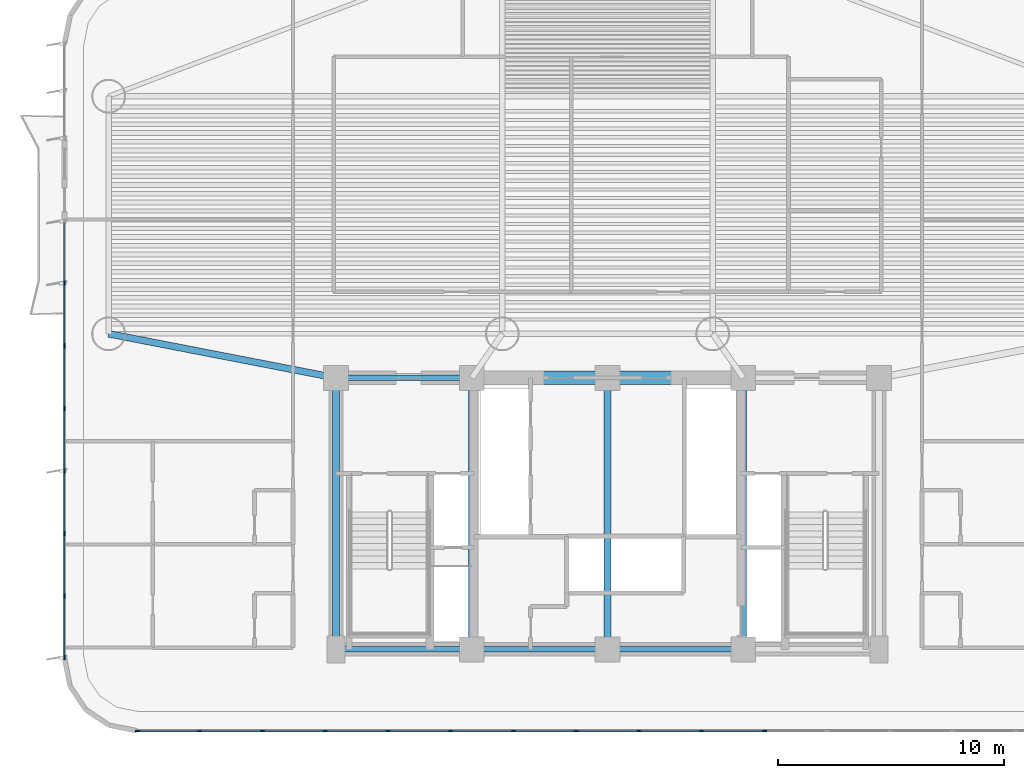
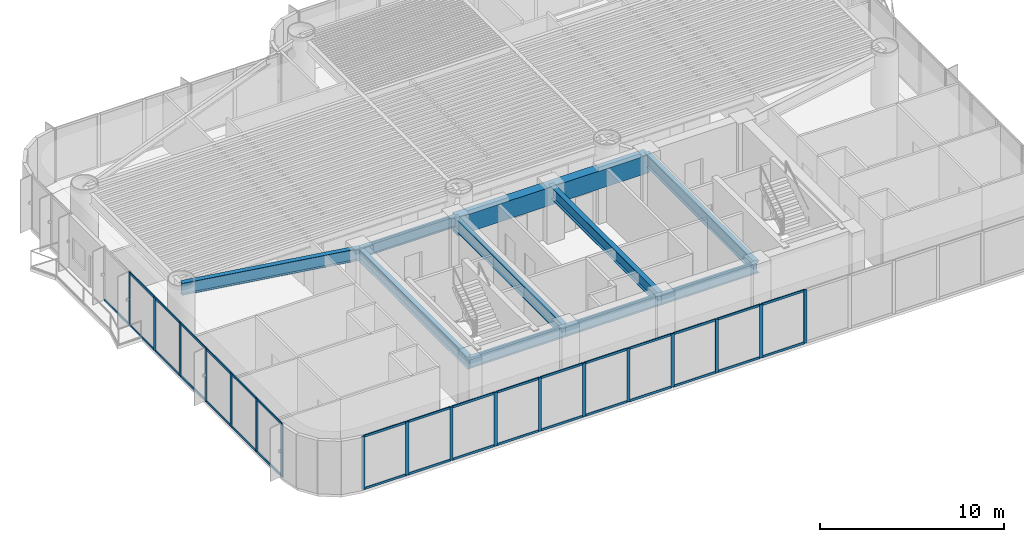
# One storey, part 2 of 17: 51 members, 10 beams, 2 elements without a shape of their own.
"""IFC4 building model written with IfcOpenShell, lengths in metres."""

from ifc_helpers import new_model, si_unit, direction, frame, origin, origin_2d, place, context, subcontext, project, spatial, rectangle, i_section, extrude, source, transform, mapped, material, layer, layer_set, material_profile, profile_set, type_object, element, aggregate, save


model = new_model("IFC4")

# Units and contexts
model_context = context("Model", 3, precision=1e-05, world=origin(), true_north=direction((0.0, 1.0)))
body_context = subcontext(model_context, "Body", "Model", "MODEL_VIEW")
ifc_project = project(units=[si_unit("LENGTHUNIT", "METRE"), si_unit("AREAUNIT", "SQUARE_METRE"), si_unit("VOLUMEUNIT", "CUBIC_METRE"), si_unit("PLANEANGLEUNIT", "RADIAN"), si_unit("MASSUNIT", "GRAM", prefix="KILO")], contexts=[model_context])

# Site, building, storey
site_placement = place(None, origin())
site = spatial("IfcSite", under=ifc_project, at=site_placement, CompositionType="ELEMENT")
building_placement = place(site_placement, origin())
building = spatial("IfcBuilding", under=site, at=building_placement, Name="Brelvock Crest Care Tower", CompositionType="ELEMENT")
storey_placement = place(building_placement, frame((0.0, 0.0, 49.679931640625)))
storey = spatial("IfcBuildingStorey", under=building, at=storey_placement, Name="L12", CompositionType="ELEMENT", Elevation=49.679931640625)

# Beams
ifc_material_1 = material(Name="Concrete S80 (80 MPa)", Category="concrete")
ifc_material_profile_1 = material_profile(ifc_material_1, rectangle(XDim=0.60009765625, YDim=1.199951171875, at=origin_2d()), Name="RC600x1200")
ifc_profile_set_1 = profile_set([ifc_material_profile_1], Name="Concrete S80 (80 MPa)")
beam_type_1 = type_object("IfcBeamType", Name="BM-LN1", PredefinedType="LINTEL", material=ifc_profile_set_1)
shared_shape_1 = source(origin(), body_context, "Body", "SweptSolid", [
    extrude(rectangle(XDim=0.60009765625, YDim=1.199951171875, at=origin_2d()), origin(), (0.0, 0.0, 1.0), 12.0),
])
beam_1_placement = place(storey_placement, frame((30.0, 18.0, 2.93017578125), z_axis=(1.0, 0.0, 0.0), x_axis=(0.0, 1.0, 0.0)))
element("IfcBeam", 1, at=beam_1_placement, inside=storey, type_object=beam_type_1, Name="L12 Core Coupling Lintel Beam", PredefinedType="LINTEL", context=body_context, shape_type="MappedRepresentation", body=[
    mapped(shared_shape_1, transform((0.0, 0.0, 0.0), x_axis=(1.0, 0.0, 0.0), y_axis=(0.0, 1.0, 0.0), z_axis=(0.0, 0.0, 1.0), scale=1.0)),
])
ifc_material_2 = material(Name="Steel Grade 350", Category="steel")
ifc_material_profile_2 = material_profile(ifc_material_2, i_section(OverallWidth=0.25, OverallDepth=0.699951171875, WebThickness=0.011962890625, FlangeThickness=0.02001953125, at=origin_2d()), Name="700WB150")
ifc_profile_set_2 = profile_set([ifc_material_profile_2], Name="Steel Grade 350")
beam_type_2 = type_object("IfcBeamType", Name="BM-G4", PredefinedType="BEAM", material=ifc_profile_set_2)
shared_shape_2 = source(origin(), body_context, "Body", "SweptSolid", [
    extrude(i_section(OverallWidth=0.25, OverallDepth=0.699951171875, WebThickness=0.011962890625, FlangeThickness=0.02001953125, at=origin_2d()), origin(), (0.0, 0.0, 1.0), 6.0),
])
for number, where, z_axis, x_axis, name in (
    (2, (24.0, 6.0, 3.18017578125), (1.0, 0.0, 0.0), (0.0, 1.0, 0.0), "BM-CORES-L12-1"),
    (3, (24.0, 18.0, 3.18017578125), (1.0, 0.0, 0.0), (0.0, 1.0, 0.0), "BM-COREN-L12-1"),
    (4, (30.0, 6.0, 3.18017578125), (1.0, 0.0, 0.0), (0.0, 1.0, 0.0), "BM-CORES-L12-2"),
    (5, (36.0, 6.0, 3.18017578125), (1.0, 0.0, 0.0), (0.0, 1.0, 0.0), "BM-CORES-L12-3"),
):
    element("IfcBeam", number, at=place(storey_placement, frame(where, z_axis=z_axis, x_axis=x_axis)), inside=storey, type_object=beam_type_2, Name=name, PredefinedType="BEAM", context=body_context, shape_type="MappedRepresentation", body=[
        mapped(shared_shape_2, transform((0.0, 0.0, 0.0), x_axis=(1.0, 0.0, 0.0), y_axis=(0.0, 1.0, 0.0), z_axis=(0.0, 0.0, 1.0), scale=1.0)),
    ])
ifc_material_profile_3 = material_profile(ifc_material_2, i_section(OverallWidth=0.300048828125, OverallDepth=0.800048828125, WebThickness=0.013916015625, FlangeThickness=0.02197265625, at=origin_2d()), Name="800WB192")
ifc_profile_set_3 = profile_set([ifc_material_profile_3], Name="Steel Grade 350")
beam_type_3 = type_object("IfcBeamType", Name="BM-G5", PredefinedType="BEAM", material=ifc_profile_set_3)
shared_shape_3 = source(origin(), body_context, "Body", "SweptSolid", [
    extrude(i_section(OverallWidth=0.300048828125, OverallDepth=0.800048828125, WebThickness=0.013916015625, FlangeThickness=0.02197265625, at=origin_2d()), origin(), (0.0, 0.0, 1.0), 12.0),
])
for number, where, z_axis, x_axis, name in (
    (6, (24.0, 6.0, 3.130126953125), (0.0, 1.0, 0.0), (-1.0, 0.0, 0.0), "BM-COREX-L12-1"),
    (7, (30.0, 6.0, 3.130126953125), (0.0, 1.0, 0.0), (-1.0, 0.0, 0.0), "BM-COREX-L12-2"),
    (8, (36.0, 6.0, 3.130126953125), (0.0, 1.0, 0.0), (-1.0, 0.0, 0.0), "BM-COREX-L12-3"),
    (9, (42.0, 6.0, 3.130126953125), (0.0, 1.0, 0.0), (-1.0, 0.0, 0.0), "BM-COREX-L12-4"),
):
    element("IfcBeam", number, at=place(storey_placement, frame(where, z_axis=z_axis, x_axis=x_axis)), inside=storey, type_object=beam_type_3, Name=name, PredefinedType="BEAM", context=body_context, shape_type="MappedRepresentation", body=[
        mapped(shared_shape_3, transform((0.0, 0.0, 0.0), x_axis=(1.0, 0.0, 0.0), y_axis=(0.0, 1.0, 0.0), z_axis=(0.0, 0.0, 1.0), scale=1.0)),
    ])
shared_shape_4 = source(origin(), body_context, "Body", "SweptSolid", [
    extrude(i_section(OverallWidth=0.300048828125, OverallDepth=0.800048828125, WebThickness=0.013916015625, FlangeThickness=0.02197265625, at=origin_2d()), origin(), (0.0, 0.0, 1.0), 10.237548828125),
])
beam_2_placement = place(storey_placement, frame((24.0, 18.0, 3.130126953125), z_axis=(-0.981692632568, 0.190471979991, 0.0), x_axis=(-0.190471979991, -0.981692632568, 0.0)))
element("IfcBeam", 10, at=beam_2_placement, inside=storey, type_object=beam_type_3, Name="BM-THRO-W-L12", PredefinedType="BEAM", context=body_context, shape_type="MappedRepresentation", body=[
    mapped(shared_shape_4, transform((0.0, 0.0, 0.0), x_axis=(1.0, 0.0, 0.0), y_axis=(0.0, 1.0, 0.0), z_axis=(0.0, 0.0, 1.0), scale=1.0)),
])

# Curtain wall, members
ifc_material_3 = material(Name="Dark Glass Double Glazed Low-E", Category="glass")
ifc_layer = layer(ifc_material_3, 0.195068359375, Name="CWS-2")
ifc_layer_set = layer_set([ifc_layer], Name="Dark Glass Double Glazed Low-E")
curtain_wall_type = type_object("IfcCurtainWallType", Name="CWS-2", PredefinedType="NOTDEFINED", material=ifc_layer_set)
curtain_wall_1_placement = place(storey_placement, origin())
curtain_wall_1 = element("IfcCurtainWall", 11, at=curtain_wall_1_placement, inside=storey, type_object=curtain_wall_type, Name="L12 Curtain Wall E08", PredefinedType="NOTDEFINED")
ifc_material_4 = material(Name="Aluminium 6063-T6", Category="aluminium")
ifc_material_profile_4 = material_profile(ifc_material_4, rectangle(XDim=0.06494140625, YDim=0.199951171875, at=origin_2d()), Name="ALU65x200")
ifc_profile_set_4 = profile_set([ifc_material_profile_4], Name="Aluminium 6063-T6")
member_type_1 = type_object("IfcMemberType", Name="CWM-1", PredefinedType="MULLION", material=ifc_profile_set_4)
shared_shape_5 = source(origin(), body_context, "Body", "SweptSolid", [
    extrude(rectangle(XDim=0.06494140625, YDim=0.199951171875, at=origin_2d()), origin(), (0.0, 0.0, 1.0), 3.530029296875),
])
member_1_placement = place(storey_placement, frame((42.933349609375, 2.39990234375, 0.0), z_axis=(0.0, 0.0, 1.0), x_axis=(0.0, -1.0, 0.0)))
member_1 = element("IfcMember", 12, at=member_1_placement, type_object=member_type_1, Name="CW-2 mullion 6", PredefinedType="MULLION", context=body_context, shape_type="MappedRepresentation", body=[
    mapped(shared_shape_5, transform((0.0, 0.0, 0.0), x_axis=(1.0, 0.0, 0.0), y_axis=(0.0, 1.0, 0.0), z_axis=(0.0, 0.0, 1.0), scale=1.0)),
])
member_2_placement = place(storey_placement, frame((40.159912109375, 2.39990234375, 0.0), z_axis=(0.0, 0.0, 1.0), x_axis=(0.0, -1.0, 0.0)))
member_2 = element("IfcMember", 13, at=member_2_placement, type_object=member_type_1, Name="CW-2 mullion 7", PredefinedType="MULLION", context=body_context, shape_type="MappedRepresentation", body=[
    mapped(shared_shape_5, transform((0.0, 0.0, 0.0), x_axis=(1.0, 0.0, 0.0), y_axis=(0.0, 1.0, 0.0), z_axis=(0.0, 0.0, 1.0), scale=1.0)),
])
member_3_placement = place(storey_placement, frame((37.38671875, 2.39990234375, 0.0), z_axis=(0.0, 0.0, 1.0), x_axis=(0.0, -1.0, 0.0)))
member_3 = element("IfcMember", 14, at=member_3_placement, type_object=member_type_1, Name="CW-2 mullion 8", PredefinedType="MULLION", context=body_context, shape_type="MappedRepresentation", body=[
    mapped(shared_shape_5, transform((0.0, 0.0, 0.0), x_axis=(1.0, 0.0, 0.0), y_axis=(0.0, 1.0, 0.0), z_axis=(0.0, 0.0, 1.0), scale=1.0)),
])
member_4_placement = place(storey_placement, frame((34.61328125, 2.39990234375, 0.0), z_axis=(0.0, 0.0, 1.0), x_axis=(0.0, -1.0, 0.0)))
member_4 = element("IfcMember", 15, at=member_4_placement, type_object=member_type_1, Name="CW-2 mullion 9", PredefinedType="MULLION", context=body_context, shape_type="MappedRepresentation", body=[
    mapped(shared_shape_5, transform((0.0, 0.0, 0.0), x_axis=(1.0, 0.0, 0.0), y_axis=(0.0, 1.0, 0.0), z_axis=(0.0, 0.0, 1.0), scale=1.0)),
])
member_5_placement = place(storey_placement, frame((31.840087890625, 2.39990234375, 0.0), z_axis=(0.0, 0.0, 1.0), x_axis=(0.0, -1.0, 0.0)))
member_5 = element("IfcMember", 16, at=member_5_placement, type_object=member_type_1, Name="CW-2 mullion 10", PredefinedType="MULLION", context=body_context, shape_type="MappedRepresentation", body=[
    mapped(shared_shape_5, transform((0.0, 0.0, 0.0), x_axis=(1.0, 0.0, 0.0), y_axis=(0.0, 1.0, 0.0), z_axis=(0.0, 0.0, 1.0), scale=1.0)),
])
member_6_placement = place(storey_placement, frame((29.066650390625, 2.39990234375, 0.0), z_axis=(0.0, 0.0, 1.0), x_axis=(0.0, -1.0, 0.0)))
member_6 = element("IfcMember", 17, at=member_6_placement, type_object=member_type_1, Name="CW-2 mullion 11", PredefinedType="MULLION", context=body_context, shape_type="MappedRepresentation", body=[
    mapped(shared_shape_5, transform((0.0, 0.0, 0.0), x_axis=(1.0, 0.0, 0.0), y_axis=(0.0, 1.0, 0.0), z_axis=(0.0, 0.0, 1.0), scale=1.0)),
])
member_7_placement = place(storey_placement, frame((26.293212890625, 2.39990234375, 0.0), z_axis=(0.0, 0.0, 1.0), x_axis=(0.0, -1.0, 0.0)))
member_7 = element("IfcMember", 18, at=member_7_placement, type_object=member_type_1, Name="CW-2 mullion 12", PredefinedType="MULLION", context=body_context, shape_type="MappedRepresentation", body=[
    mapped(shared_shape_5, transform((0.0, 0.0, 0.0), x_axis=(1.0, 0.0, 0.0), y_axis=(0.0, 1.0, 0.0), z_axis=(0.0, 0.0, 1.0), scale=1.0)),
])
member_8_placement = place(storey_placement, frame((23.52001953125, 2.39990234375, 0.0), z_axis=(0.0, 0.0, 1.0), x_axis=(0.0, -1.0, 0.0)))
member_8 = element("IfcMember", 19, at=member_8_placement, type_object=member_type_1, Name="CW-2 mullion 13", PredefinedType="MULLION", context=body_context, shape_type="MappedRepresentation", body=[
    mapped(shared_shape_5, transform((0.0, 0.0, 0.0), x_axis=(1.0, 0.0, 0.0), y_axis=(0.0, 1.0, 0.0), z_axis=(0.0, 0.0, 1.0), scale=1.0)),
])
member_9_placement = place(storey_placement, frame((20.74658203125, 2.39990234375, 0.0), z_axis=(0.0, 0.0, 1.0), x_axis=(0.0, -1.0, 0.0)))
member_9 = element("IfcMember", 20, at=member_9_placement, type_object=member_type_1, Name="CW-2 mullion 14", PredefinedType="MULLION", context=body_context, shape_type="MappedRepresentation", body=[
    mapped(shared_shape_5, transform((0.0, 0.0, 0.0), x_axis=(1.0, 0.0, 0.0), y_axis=(0.0, 1.0, 0.0), z_axis=(0.0, 0.0, 1.0), scale=1.0)),
])
member_10_placement = place(storey_placement, frame((17.973388671875, 2.39990234375, 0.0), z_axis=(0.0, 0.0, 1.0), x_axis=(0.0, -1.0, 0.0)))
member_10 = element("IfcMember", 21, at=member_10_placement, type_object=member_type_1, Name="CW-2 mullion 15", PredefinedType="MULLION", context=body_context, shape_type="MappedRepresentation", body=[
    mapped(shared_shape_5, transform((0.0, 0.0, 0.0), x_axis=(1.0, 0.0, 0.0), y_axis=(0.0, 1.0, 0.0), z_axis=(0.0, 0.0, 1.0), scale=1.0)),
])
member_11_placement = place(storey_placement, frame((15.232421875, 2.39990234375, 0.0), z_axis=(0.0, 0.0, 1.0), x_axis=(0.0, -1.0, 0.0)))
member_11 = element("IfcMember", 22, at=member_11_placement, type_object=member_type_1, Name="CW-2 mullion 16", PredefinedType="MULLION", context=body_context, shape_type="MappedRepresentation", body=[
    mapped(shared_shape_5, transform((0.0, 0.0, 0.0), x_axis=(1.0, 0.0, 0.0), y_axis=(0.0, 1.0, 0.0), z_axis=(0.0, 0.0, 1.0), scale=1.0)),
])

curtain_wall_2_placement = place(storey_placement, origin())
curtain_wall_2 = element("IfcCurtainWall", 23, at=curtain_wall_2_placement, inside=storey, type_object=curtain_wall_type, Name="L12 Curtain Wall E13A", PredefinedType="NOTDEFINED")
member_12_placement = place(storey_placement, frame((12.0, 5.632568359375, 0.0), z_axis=(0.0, 0.0, 1.0), x_axis=(-1.0, 0.0, 0.0)))
member_12 = element("IfcMember", 24, at=member_12_placement, type_object=member_type_1, Name="CW-2 mullion 1", PredefinedType="MULLION", context=body_context, shape_type="MappedRepresentation", body=[
    mapped(shared_shape_5, transform((0.0, 0.0, 0.0), x_axis=(1.0, 0.0, 0.0), y_axis=(0.0, 1.0, 0.0), z_axis=(0.0, 0.0, 1.0), scale=1.0)),
])
member_13_placement = place(storey_placement, frame((12.0, 8.3642578125, 0.0), z_axis=(0.0, 0.0, 1.0), x_axis=(-1.0, 0.0, 0.0)))
member_13 = element("IfcMember", 25, at=member_13_placement, type_object=member_type_1, Name="CW-2 mullion 2", PredefinedType="MULLION", context=body_context, shape_type="MappedRepresentation", body=[
    mapped(shared_shape_5, transform((0.0, 0.0, 0.0), x_axis=(1.0, 0.0, 0.0), y_axis=(0.0, 1.0, 0.0), z_axis=(0.0, 0.0, 1.0), scale=1.0)),
])
member_14_placement = place(storey_placement, frame((12.0, 11.128662109375, 0.0), z_axis=(0.0, 0.0, 1.0), x_axis=(-1.0, 0.0, 0.0)))
member_14 = element("IfcMember", 26, at=member_14_placement, type_object=member_type_1, Name="CW-2 mullion 3", PredefinedType="MULLION", context=body_context, shape_type="MappedRepresentation", body=[
    mapped(shared_shape_5, transform((0.0, 0.0, 0.0), x_axis=(1.0, 0.0, 0.0), y_axis=(0.0, 1.0, 0.0), z_axis=(0.0, 0.0, 1.0), scale=1.0)),
])
member_15_placement = place(storey_placement, frame((12.0, 13.892822265625, 0.0), z_axis=(0.0, 0.0, 1.0), x_axis=(-1.0, 0.0, 0.0)))
member_15 = element("IfcMember", 27, at=member_15_placement, type_object=member_type_1, Name="CW-2 mullion 4", PredefinedType="MULLION", context=body_context, shape_type="MappedRepresentation", body=[
    mapped(shared_shape_5, transform((0.0, 0.0, 0.0), x_axis=(1.0, 0.0, 0.0), y_axis=(0.0, 1.0, 0.0), z_axis=(0.0, 0.0, 1.0), scale=1.0)),
])
member_16_placement = place(storey_placement, frame((12.0, 16.6572265625, 0.0), z_axis=(0.0, 0.0, 1.0), x_axis=(-1.0, 0.0, 0.0)))
member_16 = element("IfcMember", 28, at=member_16_placement, type_object=member_type_1, Name="CW-2 mullion 5", PredefinedType="MULLION", context=body_context, shape_type="MappedRepresentation", body=[
    mapped(shared_shape_5, transform((0.0, 0.0, 0.0), x_axis=(1.0, 0.0, 0.0), y_axis=(0.0, 1.0, 0.0), z_axis=(0.0, 0.0, 1.0), scale=1.0)),
])
member_17_placement = place(storey_placement, frame((12.0, 19.42138671875, 0.0), z_axis=(0.0, 0.0, 1.0), x_axis=(-1.0, 0.0, 0.0)))
member_17 = element("IfcMember", 29, at=member_17_placement, type_object=member_type_1, Name="CW-2 mullion 6", PredefinedType="MULLION", context=body_context, shape_type="MappedRepresentation", body=[
    mapped(shared_shape_5, transform((0.0, 0.0, 0.0), x_axis=(1.0, 0.0, 0.0), y_axis=(0.0, 1.0, 0.0), z_axis=(0.0, 0.0, 1.0), scale=1.0)),
])
member_18_placement = place(storey_placement, frame((12.0, 22.185791015625, 0.0), z_axis=(0.0, 0.0, 1.0), x_axis=(-1.0, 0.0, 0.0)))
member_18 = element("IfcMember", 30, at=member_18_placement, type_object=member_type_1, Name="CW-2 mullion 7", PredefinedType="MULLION", context=body_context, shape_type="MappedRepresentation", body=[
    mapped(shared_shape_5, transform((0.0, 0.0, 0.0), x_axis=(1.0, 0.0, 0.0), y_axis=(0.0, 1.0, 0.0), z_axis=(0.0, 0.0, 1.0), scale=1.0)),
])

# Member
ifc_material_profile_5 = material_profile(ifc_material_4, rectangle(XDim=0.06494140625, YDim=0.14990234375, at=origin_2d()), Name="ALU65x150")
ifc_profile_set_5 = profile_set([ifc_material_profile_5], Name="Aluminium 6063-T6")
member_type_2 = type_object("IfcMemberType", Name="CWT-1", PredefinedType="USERDEFINED", material=ifc_profile_set_5)
shared_shape_6 = source(origin(), body_context, "Body", "SweptSolid", [
    extrude(rectangle(XDim=0.06494140625, YDim=0.14990234375, at=origin_2d()), origin(), (0.0, 0.0, 1.0), 2.676025390625),
])
member_19_placement = place(storey_placement, frame((17.94091796875, 2.39990234375, 0.032470703125), z_axis=(-1.0, 0.0, 0.0), x_axis=(0.0, -1.0, 0.0)))
member_19 = element("IfcMember", 31, at=member_19_placement, type_object=member_type_2, Name="CW-2 transom 15.1", ObjectType="TRANSOM", PredefinedType="USERDEFINED", context=body_context, shape_type="MappedRepresentation", body=[
    mapped(shared_shape_6, transform((0.0, 0.0, 0.0), x_axis=(1.0, 0.0, 0.0), y_axis=(0.0, 1.0, 0.0), z_axis=(0.0, 0.0, 1.0), scale=1.0)),
])

member_20_placement = place(storey_placement, frame((17.94091796875, 2.39990234375, 3.49755859375), z_axis=(-1.0, 0.0, 0.0), x_axis=(0.0, -1.0, 0.0)))
member_20 = element("IfcMember", 32, at=member_20_placement, type_object=member_type_2, Name="CW-2 transom 15.2", ObjectType="TRANSOM", PredefinedType="USERDEFINED", context=body_context, shape_type="MappedRepresentation", body=[
    mapped(shared_shape_6, transform((0.0, 0.0, 0.0), x_axis=(1.0, 0.0, 0.0), y_axis=(0.0, 1.0, 0.0), z_axis=(0.0, 0.0, 1.0), scale=1.0)),
])

shared_shape_7 = source(origin(), body_context, "Body", "SweptSolid", [
    extrude(rectangle(XDim=0.06494140625, YDim=0.14990234375, at=origin_2d()), origin(), (0.0, 0.0, 1.0), 2.708251953125),
])
member_21_placement = place(storey_placement, frame((40.12744140625, 2.39990234375, 0.032470703125), z_axis=(-1.0, 0.0, 0.0), x_axis=(0.0, -1.0, 0.0)))
member_21 = element("IfcMember", 33, at=member_21_placement, type_object=member_type_2, Name="CW-2 transom 7.1", ObjectType="TRANSOM", PredefinedType="USERDEFINED", context=body_context, shape_type="MappedRepresentation", body=[
    mapped(shared_shape_7, transform((0.0, 0.0, 0.0), x_axis=(1.0, 0.0, 0.0), y_axis=(0.0, 1.0, 0.0), z_axis=(0.0, 0.0, 1.0), scale=1.0)),
])

member_22_placement = place(storey_placement, frame((40.12744140625, 2.39990234375, 3.49755859375), z_axis=(-1.0, 0.0, 0.0), x_axis=(0.0, -1.0, 0.0)))
member_22 = element("IfcMember", 34, at=member_22_placement, type_object=member_type_2, Name="CW-2 transom 7.2", ObjectType="TRANSOM", PredefinedType="USERDEFINED", context=body_context, shape_type="MappedRepresentation", body=[
    mapped(shared_shape_7, transform((0.0, 0.0, 0.0), x_axis=(1.0, 0.0, 0.0), y_axis=(0.0, 1.0, 0.0), z_axis=(0.0, 0.0, 1.0), scale=1.0)),
])

member_23_placement = place(storey_placement, frame((34.580810546875, 2.39990234375, 0.032470703125), z_axis=(-1.0, 0.0, 0.0), x_axis=(0.0, -1.0, 0.0)))
member_23 = element("IfcMember", 35, at=member_23_placement, type_object=member_type_2, Name="CW-2 transom 9.1", ObjectType="TRANSOM", PredefinedType="USERDEFINED", context=body_context, shape_type="MappedRepresentation", body=[
    mapped(shared_shape_7, transform((0.0, 0.0, 0.0), x_axis=(1.0, 0.0, 0.0), y_axis=(0.0, 1.0, 0.0), z_axis=(0.0, 0.0, 1.0), scale=1.0)),
])

member_24_placement = place(storey_placement, frame((34.580810546875, 2.39990234375, 3.49755859375), z_axis=(-1.0, 0.0, 0.0), x_axis=(0.0, -1.0, 0.0)))
member_24 = element("IfcMember", 36, at=member_24_placement, type_object=member_type_2, Name="CW-2 transom 9.2", ObjectType="TRANSOM", PredefinedType="USERDEFINED", context=body_context, shape_type="MappedRepresentation", body=[
    mapped(shared_shape_7, transform((0.0, 0.0, 0.0), x_axis=(1.0, 0.0, 0.0), y_axis=(0.0, 1.0, 0.0), z_axis=(0.0, 0.0, 1.0), scale=1.0)),
])

member_25_placement = place(storey_placement, frame((29.0341796875, 2.39990234375, 0.032470703125), z_axis=(-1.0, 0.0, 0.0), x_axis=(0.0, -1.0, 0.0)))
member_25 = element("IfcMember", 37, at=member_25_placement, type_object=member_type_2, Name="CW-2 transom 11.1", ObjectType="TRANSOM", PredefinedType="USERDEFINED", context=body_context, shape_type="MappedRepresentation", body=[
    mapped(shared_shape_7, transform((0.0, 0.0, 0.0), x_axis=(1.0, 0.0, 0.0), y_axis=(0.0, 1.0, 0.0), z_axis=(0.0, 0.0, 1.0), scale=1.0)),
])

member_26_placement = place(storey_placement, frame((29.0341796875, 2.39990234375, 3.49755859375), z_axis=(-1.0, 0.0, 0.0), x_axis=(0.0, -1.0, 0.0)))
member_26 = element("IfcMember", 38, at=member_26_placement, type_object=member_type_2, Name="CW-2 transom 11.2", ObjectType="TRANSOM", PredefinedType="USERDEFINED", context=body_context, shape_type="MappedRepresentation", body=[
    mapped(shared_shape_7, transform((0.0, 0.0, 0.0), x_axis=(1.0, 0.0, 0.0), y_axis=(0.0, 1.0, 0.0), z_axis=(0.0, 0.0, 1.0), scale=1.0)),
])

member_27_placement = place(storey_placement, frame((26.2607421875, 2.39990234375, 0.032470703125), z_axis=(-1.0, 0.0, 0.0), x_axis=(0.0, -1.0, 0.0)))
member_27 = element("IfcMember", 39, at=member_27_placement, type_object=member_type_2, Name="CW-2 transom 12.1", ObjectType="TRANSOM", PredefinedType="USERDEFINED", context=body_context, shape_type="MappedRepresentation", body=[
    mapped(shared_shape_7, transform((0.0, 0.0, 0.0), x_axis=(1.0, 0.0, 0.0), y_axis=(0.0, 1.0, 0.0), z_axis=(0.0, 0.0, 1.0), scale=1.0)),
])

member_28_placement = place(storey_placement, frame((26.2607421875, 2.39990234375, 3.49755859375), z_axis=(-1.0, 0.0, 0.0), x_axis=(0.0, -1.0, 0.0)))
member_28 = element("IfcMember", 40, at=member_28_placement, type_object=member_type_2, Name="CW-2 transom 12.2", ObjectType="TRANSOM", PredefinedType="USERDEFINED", context=body_context, shape_type="MappedRepresentation", body=[
    mapped(shared_shape_7, transform((0.0, 0.0, 0.0), x_axis=(1.0, 0.0, 0.0), y_axis=(0.0, 1.0, 0.0), z_axis=(0.0, 0.0, 1.0), scale=1.0)),
])

member_29_placement = place(storey_placement, frame((20.714111328125, 2.39990234375, 0.032470703125), z_axis=(-1.0, 0.0, 0.0), x_axis=(0.0, -1.0, 0.0)))
member_29 = element("IfcMember", 41, at=member_29_placement, type_object=member_type_2, Name="CW-2 transom 14.1", ObjectType="TRANSOM", PredefinedType="USERDEFINED", context=body_context, shape_type="MappedRepresentation", body=[
    mapped(shared_shape_7, transform((0.0, 0.0, 0.0), x_axis=(1.0, 0.0, 0.0), y_axis=(0.0, 1.0, 0.0), z_axis=(0.0, 0.0, 1.0), scale=1.0)),
])

member_30_placement = place(storey_placement, frame((20.714111328125, 2.39990234375, 3.49755859375), z_axis=(-1.0, 0.0, 0.0), x_axis=(0.0, -1.0, 0.0)))
member_30 = element("IfcMember", 42, at=member_30_placement, type_object=member_type_2, Name="CW-2 transom 14.2", ObjectType="TRANSOM", PredefinedType="USERDEFINED", context=body_context, shape_type="MappedRepresentation", body=[
    mapped(shared_shape_7, transform((0.0, 0.0, 0.0), x_axis=(1.0, 0.0, 0.0), y_axis=(0.0, 1.0, 0.0), z_axis=(0.0, 0.0, 1.0), scale=1.0)),
])

shared_shape_8 = source(origin(), body_context, "Body", "SweptSolid", [
    extrude(rectangle(XDim=0.06494140625, YDim=0.14990234375, at=origin_2d()), origin(), (0.0, 0.0, 1.0), 2.70849609375),
])
member_31_placement = place(storey_placement, frame((42.90087890625, 2.39990234375, 0.032470703125), z_axis=(-1.0, 0.0, 0.0), x_axis=(0.0, -1.0, 0.0)))
member_31 = element("IfcMember", 43, at=member_31_placement, type_object=member_type_2, Name="CW-2 transom 6.1", ObjectType="TRANSOM", PredefinedType="USERDEFINED", context=body_context, shape_type="MappedRepresentation", body=[
    mapped(shared_shape_8, transform((0.0, 0.0, 0.0), x_axis=(1.0, 0.0, 0.0), y_axis=(0.0, 1.0, 0.0), z_axis=(0.0, 0.0, 1.0), scale=1.0)),
])

member_32_placement = place(storey_placement, frame((42.90087890625, 2.39990234375, 3.49755859375), z_axis=(-1.0, 0.0, 0.0), x_axis=(0.0, -1.0, 0.0)))
member_32 = element("IfcMember", 44, at=member_32_placement, type_object=member_type_2, Name="CW-2 transom 6.2", ObjectType="TRANSOM", PredefinedType="USERDEFINED", context=body_context, shape_type="MappedRepresentation", body=[
    mapped(shared_shape_8, transform((0.0, 0.0, 0.0), x_axis=(1.0, 0.0, 0.0), y_axis=(0.0, 1.0, 0.0), z_axis=(0.0, 0.0, 1.0), scale=1.0)),
])

member_33_placement = place(storey_placement, frame((37.354248046875, 2.39990234375, 0.032470703125), z_axis=(-1.0, 0.0, 0.0), x_axis=(0.0, -1.0, 0.0)))
member_33 = element("IfcMember", 45, at=member_33_placement, type_object=member_type_2, Name="CW-2 transom 8.1", ObjectType="TRANSOM", PredefinedType="USERDEFINED", context=body_context, shape_type="MappedRepresentation", body=[
    mapped(shared_shape_8, transform((0.0, 0.0, 0.0), x_axis=(1.0, 0.0, 0.0), y_axis=(0.0, 1.0, 0.0), z_axis=(0.0, 0.0, 1.0), scale=1.0)),
])

member_34_placement = place(storey_placement, frame((37.354248046875, 2.39990234375, 3.49755859375), z_axis=(-1.0, 0.0, 0.0), x_axis=(0.0, -1.0, 0.0)))
member_34 = element("IfcMember", 46, at=member_34_placement, type_object=member_type_2, Name="CW-2 transom 8.2", ObjectType="TRANSOM", PredefinedType="USERDEFINED", context=body_context, shape_type="MappedRepresentation", body=[
    mapped(shared_shape_8, transform((0.0, 0.0, 0.0), x_axis=(1.0, 0.0, 0.0), y_axis=(0.0, 1.0, 0.0), z_axis=(0.0, 0.0, 1.0), scale=1.0)),
])

member_35_placement = place(storey_placement, frame((31.8076171875, 2.39990234375, 0.032470703125), z_axis=(-1.0, 0.0, 0.0), x_axis=(0.0, -1.0, 0.0)))
member_35 = element("IfcMember", 47, at=member_35_placement, type_object=member_type_2, Name="CW-2 transom 10.1", ObjectType="TRANSOM", PredefinedType="USERDEFINED", context=body_context, shape_type="MappedRepresentation", body=[
    mapped(shared_shape_8, transform((0.0, 0.0, 0.0), x_axis=(1.0, 0.0, 0.0), y_axis=(0.0, 1.0, 0.0), z_axis=(0.0, 0.0, 1.0), scale=1.0)),
])

member_36_placement = place(storey_placement, frame((31.8076171875, 2.39990234375, 3.49755859375), z_axis=(-1.0, 0.0, 0.0), x_axis=(0.0, -1.0, 0.0)))
member_36 = element("IfcMember", 48, at=member_36_placement, type_object=member_type_2, Name="CW-2 transom 10.2", ObjectType="TRANSOM", PredefinedType="USERDEFINED", context=body_context, shape_type="MappedRepresentation", body=[
    mapped(shared_shape_8, transform((0.0, 0.0, 0.0), x_axis=(1.0, 0.0, 0.0), y_axis=(0.0, 1.0, 0.0), z_axis=(0.0, 0.0, 1.0), scale=1.0)),
])

member_37_placement = place(storey_placement, frame((23.487548828125, 2.39990234375, 0.032470703125), z_axis=(-1.0, 0.0, 0.0), x_axis=(0.0, -1.0, 0.0)))
member_37 = element("IfcMember", 49, at=member_37_placement, type_object=member_type_2, Name="CW-2 transom 13.1", ObjectType="TRANSOM", PredefinedType="USERDEFINED", context=body_context, shape_type="MappedRepresentation", body=[
    mapped(shared_shape_8, transform((0.0, 0.0, 0.0), x_axis=(1.0, 0.0, 0.0), y_axis=(0.0, 1.0, 0.0), z_axis=(0.0, 0.0, 1.0), scale=1.0)),
])

member_38_placement = place(storey_placement, frame((23.487548828125, 2.39990234375, 3.49755859375), z_axis=(-1.0, 0.0, 0.0), x_axis=(0.0, -1.0, 0.0)))
member_38 = element("IfcMember", 50, at=member_38_placement, type_object=member_type_2, Name="CW-2 transom 13.2", ObjectType="TRANSOM", PredefinedType="USERDEFINED", context=body_context, shape_type="MappedRepresentation", body=[
    mapped(shared_shape_8, transform((0.0, 0.0, 0.0), x_axis=(1.0, 0.0, 0.0), y_axis=(0.0, 1.0, 0.0), z_axis=(0.0, 0.0, 1.0), scale=1.0)),
])

aggregate(curtain_wall_1, [member_1, member_2, member_3, member_4, member_5, member_6, member_7, member_8, member_9, member_10, member_11, member_31, member_32, member_21, member_22, member_33, member_34, member_23, member_24, member_35, member_36, member_25, member_26, member_27, member_28, member_37, member_38, member_29, member_30, member_19, member_20])

shared_shape_9 = source(origin(), body_context, "Body", "SweptSolid", [
    extrude(rectangle(XDim=0.06494140625, YDim=0.14990234375, at=origin_2d()), origin(), (0.0, 0.0, 1.0), 2.666748046875),
])
member_39_placement = place(storey_placement, frame((12.0, 5.6650390625, 0.032470703125), z_axis=(0.0, 1.0, 0.0), x_axis=(-1.0, 0.0, 0.0)))
member_39 = element("IfcMember", 51, at=member_39_placement, type_object=member_type_2, Name="CW-2 transom 1.1", ObjectType="TRANSOM", PredefinedType="USERDEFINED", context=body_context, shape_type="MappedRepresentation", body=[
    mapped(shared_shape_9, transform((0.0, 0.0, 0.0), x_axis=(1.0, 0.0, 0.0), y_axis=(0.0, 1.0, 0.0), z_axis=(0.0, 0.0, 1.0), scale=1.0)),
])

member_40_placement = place(storey_placement, frame((12.0, 5.6650390625, 3.49755859375), z_axis=(0.0, 1.0, 0.0), x_axis=(-1.0, 0.0, 0.0)))
member_40 = element("IfcMember", 52, at=member_40_placement, type_object=member_type_2, Name="CW-2 transom 1.2", ObjectType="TRANSOM", PredefinedType="USERDEFINED", context=body_context, shape_type="MappedRepresentation", body=[
    mapped(shared_shape_9, transform((0.0, 0.0, 0.0), x_axis=(1.0, 0.0, 0.0), y_axis=(0.0, 1.0, 0.0), z_axis=(0.0, 0.0, 1.0), scale=1.0)),
])

member_41_placement = place(storey_placement, frame((12.0, 22.21826171875, 0.032470703125), z_axis=(0.0, 1.0, 0.0), x_axis=(-1.0, 0.0, 0.0)))
member_41 = element("IfcMember", 53, at=member_41_placement, type_object=member_type_2, Name="CW-2 transom 7.1", ObjectType="TRANSOM", PredefinedType="USERDEFINED", context=body_context, shape_type="MappedRepresentation", body=[
    mapped(shared_shape_9, transform((0.0, 0.0, 0.0), x_axis=(1.0, 0.0, 0.0), y_axis=(0.0, 1.0, 0.0), z_axis=(0.0, 0.0, 1.0), scale=1.0)),
])

shared_shape_10 = source(origin(), body_context, "Body", "SweptSolid", [
    extrude(rectangle(XDim=0.06494140625, YDim=0.14990234375, at=origin_2d()), origin(), (0.0, 0.0, 1.0), 2.699462890625),
])
member_42_placement = place(storey_placement, frame((12.0, 8.396728515625, 0.032470703125), z_axis=(0.0, 1.0, 0.0), x_axis=(-1.0, 0.0, 0.0)))
member_42 = element("IfcMember", 54, at=member_42_placement, type_object=member_type_2, Name="CW-2 transom 2.1", ObjectType="TRANSOM", PredefinedType="USERDEFINED", context=body_context, shape_type="MappedRepresentation", body=[
    mapped(shared_shape_10, transform((0.0, 0.0, 0.0), x_axis=(1.0, 0.0, 0.0), y_axis=(0.0, 1.0, 0.0), z_axis=(0.0, 0.0, 1.0), scale=1.0)),
])

member_43_placement = place(storey_placement, frame((12.0, 8.396728515625, 3.49755859375), z_axis=(0.0, 1.0, 0.0), x_axis=(-1.0, 0.0, 0.0)))
member_43 = element("IfcMember", 55, at=member_43_placement, type_object=member_type_2, Name="CW-2 transom 2.2", ObjectType="TRANSOM", PredefinedType="USERDEFINED", context=body_context, shape_type="MappedRepresentation", body=[
    mapped(shared_shape_10, transform((0.0, 0.0, 0.0), x_axis=(1.0, 0.0, 0.0), y_axis=(0.0, 1.0, 0.0), z_axis=(0.0, 0.0, 1.0), scale=1.0)),
])

member_44_placement = place(storey_placement, frame((12.0, 13.92529296875, 0.032470703125), z_axis=(0.0, 1.0, 0.0), x_axis=(-1.0, 0.0, 0.0)))
member_44 = element("IfcMember", 56, at=member_44_placement, type_object=member_type_2, Name="CW-2 transom 4.1", ObjectType="TRANSOM", PredefinedType="USERDEFINED", context=body_context, shape_type="MappedRepresentation", body=[
    mapped(shared_shape_10, transform((0.0, 0.0, 0.0), x_axis=(1.0, 0.0, 0.0), y_axis=(0.0, 1.0, 0.0), z_axis=(0.0, 0.0, 1.0), scale=1.0)),
])

member_45_placement = place(storey_placement, frame((12.0, 13.92529296875, 3.49755859375), z_axis=(0.0, 1.0, 0.0), x_axis=(-1.0, 0.0, 0.0)))
member_45 = element("IfcMember", 57, at=member_45_placement, type_object=member_type_2, Name="CW-2 transom 4.2", ObjectType="TRANSOM", PredefinedType="USERDEFINED", context=body_context, shape_type="MappedRepresentation", body=[
    mapped(shared_shape_10, transform((0.0, 0.0, 0.0), x_axis=(1.0, 0.0, 0.0), y_axis=(0.0, 1.0, 0.0), z_axis=(0.0, 0.0, 1.0), scale=1.0)),
])

member_46_placement = place(storey_placement, frame((12.0, 19.453857421875, 0.032470703125), z_axis=(0.0, 1.0, 0.0), x_axis=(-1.0, 0.0, 0.0)))
member_46 = element("IfcMember", 58, at=member_46_placement, type_object=member_type_2, Name="CW-2 transom 6.1", ObjectType="TRANSOM", PredefinedType="USERDEFINED", context=body_context, shape_type="MappedRepresentation", body=[
    mapped(shared_shape_10, transform((0.0, 0.0, 0.0), x_axis=(1.0, 0.0, 0.0), y_axis=(0.0, 1.0, 0.0), z_axis=(0.0, 0.0, 1.0), scale=1.0)),
])

member_47_placement = place(storey_placement, frame((12.0, 19.453857421875, 3.49755859375), z_axis=(0.0, 1.0, 0.0), x_axis=(-1.0, 0.0, 0.0)))
member_47 = element("IfcMember", 59, at=member_47_placement, type_object=member_type_2, Name="CW-2 transom 6.2", ObjectType="TRANSOM", PredefinedType="USERDEFINED", context=body_context, shape_type="MappedRepresentation", body=[
    mapped(shared_shape_10, transform((0.0, 0.0, 0.0), x_axis=(1.0, 0.0, 0.0), y_axis=(0.0, 1.0, 0.0), z_axis=(0.0, 0.0, 1.0), scale=1.0)),
])

shared_shape_11 = source(origin(), body_context, "Body", "SweptSolid", [
    extrude(rectangle(XDim=0.06494140625, YDim=0.14990234375, at=origin_2d()), origin(), (0.0, 0.0, 1.0), 2.69921875),
])
member_48_placement = place(storey_placement, frame((12.0, 11.1611328125, 0.032470703125), z_axis=(0.0, 1.0, 0.0), x_axis=(-1.0, 0.0, 0.0)))
member_48 = element("IfcMember", 60, at=member_48_placement, type_object=member_type_2, Name="CW-2 transom 3.1", ObjectType="TRANSOM", PredefinedType="USERDEFINED", context=body_context, shape_type="MappedRepresentation", body=[
    mapped(shared_shape_11, transform((0.0, 0.0, 0.0), x_axis=(1.0, 0.0, 0.0), y_axis=(0.0, 1.0, 0.0), z_axis=(0.0, 0.0, 1.0), scale=1.0)),
])

member_49_placement = place(storey_placement, frame((12.0, 11.1611328125, 3.49755859375), z_axis=(0.0, 1.0, 0.0), x_axis=(-1.0, 0.0, 0.0)))
member_49 = element("IfcMember", 61, at=member_49_placement, type_object=member_type_2, Name="CW-2 transom 3.2", ObjectType="TRANSOM", PredefinedType="USERDEFINED", context=body_context, shape_type="MappedRepresentation", body=[
    mapped(shared_shape_11, transform((0.0, 0.0, 0.0), x_axis=(1.0, 0.0, 0.0), y_axis=(0.0, 1.0, 0.0), z_axis=(0.0, 0.0, 1.0), scale=1.0)),
])

member_50_placement = place(storey_placement, frame((12.0, 16.689697265625, 0.032470703125), z_axis=(0.0, 1.0, 0.0), x_axis=(-1.0, 0.0, 0.0)))
member_50 = element("IfcMember", 62, at=member_50_placement, type_object=member_type_2, Name="CW-2 transom 5.1", ObjectType="TRANSOM", PredefinedType="USERDEFINED", context=body_context, shape_type="MappedRepresentation", body=[
    mapped(shared_shape_11, transform((0.0, 0.0, 0.0), x_axis=(1.0, 0.0, 0.0), y_axis=(0.0, 1.0, 0.0), z_axis=(0.0, 0.0, 1.0), scale=1.0)),
])

member_51_placement = place(storey_placement, frame((12.0, 16.689697265625, 3.49755859375), z_axis=(0.0, 1.0, 0.0), x_axis=(-1.0, 0.0, 0.0)))
member_51 = element("IfcMember", 63, at=member_51_placement, type_object=member_type_2, Name="CW-2 transom 5.2", ObjectType="TRANSOM", PredefinedType="USERDEFINED", context=body_context, shape_type="MappedRepresentation", body=[
    mapped(shared_shape_11, transform((0.0, 0.0, 0.0), x_axis=(1.0, 0.0, 0.0), y_axis=(0.0, 1.0, 0.0), z_axis=(0.0, 0.0, 1.0), scale=1.0)),
])

aggregate(curtain_wall_2, [member_12, member_13, member_14, member_15, member_16, member_17, member_18, member_39, member_40, member_42, member_43, member_48, member_49, member_44, member_45, member_50, member_51, member_46, member_47, member_41])

save(model, "model.ifc")
